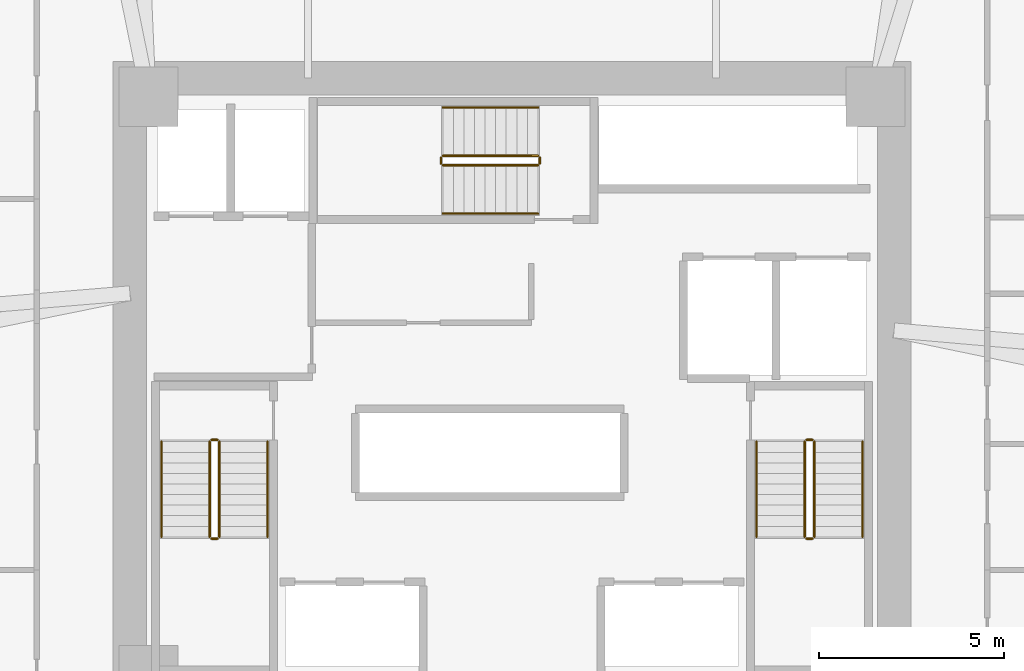
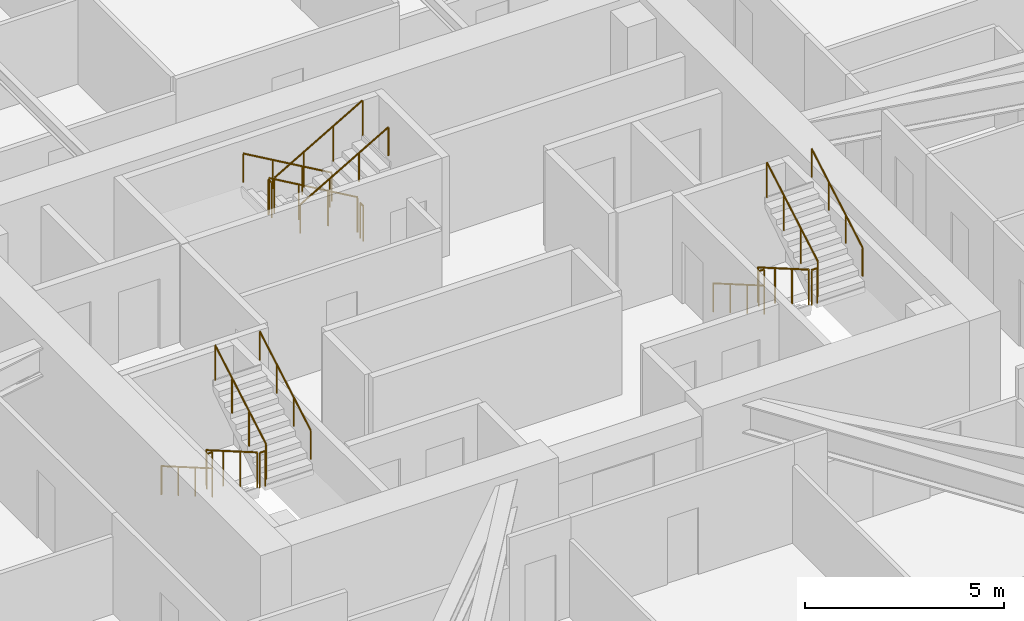
# One storey, part 17 of 17: 18 railings.
"""IFC4 building model written with IfcOpenShell, lengths in metres."""

from ifc_helpers import new_model, si_unit, direction, frame, origin, origin_2d, place, context, subcontext, project, spatial, circle, extrude, material, type_object, element, save


model = new_model("IFC4")

# Units and contexts
model_context = context("Model", 3, precision=1e-05, world=origin(), true_north=direction((0.0, 1.0)))
body_context = subcontext(model_context, "Body", "Model", "MODEL_VIEW")
ifc_project = project(units=[si_unit("LENGTHUNIT", "METRE"), si_unit("AREAUNIT", "SQUARE_METRE"), si_unit("VOLUMEUNIT", "CUBIC_METRE"), si_unit("PLANEANGLEUNIT", "RADIAN"), si_unit("MASSUNIT", "GRAM", prefix="KILO")], contexts=[model_context])

# Site, building, storey
site_placement = place(None, origin())
site = spatial("IfcSite", under=ifc_project, at=site_placement, CompositionType="ELEMENT")
building_placement = place(site_placement, origin())
building = spatial("IfcBuilding", under=site, at=building_placement, Name="Durnholm Broadcast Tower", CompositionType="ELEMENT")
storey_placement = place(building_placement, frame((0.0, 0.0, 45.60009765625)))
storey = spatial("IfcBuildingStorey", under=building, at=storey_placement, Name="L10", CompositionType="ELEMENT", Elevation=45.60009765625)

# Railings
ifc_material_1 = material(Name="Painted Tubular Steel Stair Guardrail", Category="steel")
railing_type_1 = type_object("IfcRailingType", Name="RAIL-ST-GRD", PredefinedType="GUARDRAIL", material=ifc_material_1)
railing_1_placement = place(storey_placement, frame((-8.14990234375, -1.5, 0.164794921875)))
element("IfcRailing", 1, at=railing_1_placement, inside=storey, type_object=railing_type_1, Name="L10 ST-1 stair guard 1", PredefinedType="GUARDRAIL", context=body_context, shape_type="SweptSolid", body=[
    extrude(circle(Radius=0.02392578125, at=origin_2d()), frame((0.0, 0.0, 1.076171875), z_axis=(0.0, -0.865405606168, 0.501071987656), x_axis=(1.0, 0.0, 0.0)), (0.0, 0.0, 1.0), 2.9638671875),
    extrude(circle(Radius=0.02099609375, at=origin_2d()), origin(), (0.0, 0.0, 1.0), 1.052001953125),
    extrude(circle(Radius=0.02099609375, at=origin_2d()), frame((0.0, -0.85498046875, 0.4951171875)), (0.0, 0.0, 1.0), 1.052001953125),
    extrude(circle(Radius=0.02099609375, at=origin_2d()), frame((0.0, -1.7099609375, 0.989990234375)), (0.0, 0.0, 1.0), 1.052001953125),
    extrude(circle(Radius=0.02099609375, at=origin_2d()), frame((0.0, -2.56494140625, 1.485107421875)), (0.0, 0.0, 1.0), 1.052001953125),
])
railing_2_placement = place(storey_placement, frame((-8.10009765625, -4.114990234375, 1.64990234375)))
element("IfcRailing", 2, at=railing_2_placement, inside=storey, type_object=railing_type_1, Name="L10 ST-1 stair guard 2", PredefinedType="GUARDRAIL", context=body_context, shape_type="SweptSolid", body=[
    extrude(circle(Radius=0.02392578125, at=origin_2d()), frame((0.0, 0.0, 1.076171875), z_axis=(1.0, 0.0, 0.0), x_axis=(0.0, 1.0, 0.0)), (0.0, 0.0, 1.0), 0.16015625),
    extrude(circle(Radius=0.02099609375, at=origin_2d()), origin(), (0.0, 0.0, 1.0), 1.052001953125),
    extrude(circle(Radius=0.02099609375, at=origin_2d()), frame((0.16015625, 0.0, 0.0)), (0.0, 0.0, 1.0), 1.052001953125),
])
railing_3_placement = place(storey_placement, frame((-7.889892578125, -4.06494140625, 1.81494140625)))
element("IfcRailing", 3, at=railing_3_placement, inside=storey, type_object=railing_type_1, Name="L10 ST-1 stair guard 3", PredefinedType="GUARDRAIL", context=body_context, shape_type="SweptSolid", body=[
    extrude(circle(Radius=0.02392578125, at=origin_2d()), frame((0.0, 0.0, 1.076171875), z_axis=(0.0, 0.865441324677, 0.50101029285), x_axis=(-1.0, 0.0, 0.0)), (0.0, 0.0, 1.0), 2.963623046875),
    extrude(circle(Radius=0.02099609375, at=origin_2d()), origin(), (0.0, 0.0, 1.0), 1.052001953125),
    extrude(circle(Radius=0.02099609375, at=origin_2d()), frame((0.0, 0.85498046875, 0.494873046875)), (0.0, 0.0, 1.0), 1.052001953125),
    extrude(circle(Radius=0.02099609375, at=origin_2d()), frame((0.0, 1.7099609375, 0.989990234375)), (0.0, 0.0, 1.0), 1.052001953125),
    extrude(circle(Radius=0.02099609375, at=origin_2d()), frame((0.0, 2.56494140625, 1.48486328125)), (0.0, 0.0, 1.0), 1.052001953125),
])
railing_4_placement = place(storey_placement, frame((-8.10009765625, -1.449951171875, 0.0)))
element("IfcRailing", 4, at=railing_4_placement, inside=storey, type_object=railing_type_1, Name="L10 ST-1 stair guard 4", PredefinedType="GUARDRAIL", context=body_context, shape_type="SweptSolid", body=[
    extrude(circle(Radius=0.02392578125, at=origin_2d()), frame((0.0, 0.0, 1.076171875), z_axis=(1.0, 0.0, 0.0), x_axis=(0.0, 1.0, 0.0)), (0.0, 0.0, 1.0), 0.16015625),
    extrude(circle(Radius=0.02099609375, at=origin_2d()), origin(), (0.0, 0.0, 1.0), 1.052001953125),
    extrude(circle(Radius=0.02099609375, at=origin_2d()), frame((0.16015625, 0.0, 0.0)), (0.0, 0.0, 1.0), 1.052001953125),
])
railing_5_placement = place(storey_placement, frame((7.889892578125, -1.5, 0.164794921875)))
element("IfcRailing", 5, at=railing_5_placement, inside=storey, type_object=railing_type_1, Name="L10 ST-2 stair guard 1", PredefinedType="GUARDRAIL", context=body_context, shape_type="SweptSolid", body=[
    extrude(circle(Radius=0.02392578125, at=origin_2d()), frame((0.0, 0.0, 1.076171875), z_axis=(0.0, -0.865405606168, 0.501071987656), x_axis=(1.0, 0.0, 0.0)), (0.0, 0.0, 1.0), 2.9638671875),
    extrude(circle(Radius=0.02099609375, at=origin_2d()), origin(), (0.0, 0.0, 1.0), 1.052001953125),
    extrude(circle(Radius=0.02099609375, at=origin_2d()), frame((0.0, -0.85498046875, 0.4951171875)), (0.0, 0.0, 1.0), 1.052001953125),
    extrude(circle(Radius=0.02099609375, at=origin_2d()), frame((0.0, -1.7099609375, 0.989990234375)), (0.0, 0.0, 1.0), 1.052001953125),
    extrude(circle(Radius=0.02099609375, at=origin_2d()), frame((0.0, -2.56494140625, 1.485107421875)), (0.0, 0.0, 1.0), 1.052001953125),
])
railing_6_placement = place(storey_placement, frame((7.93994140625, -4.114990234375, 1.64990234375)))
element("IfcRailing", 6, at=railing_6_placement, inside=storey, type_object=railing_type_1, Name="L10 ST-2 stair guard 2", PredefinedType="GUARDRAIL", context=body_context, shape_type="SweptSolid", body=[
    extrude(circle(Radius=0.02392578125, at=origin_2d()), frame((0.0, 0.0, 1.076171875), z_axis=(1.0, 0.0, 0.0), x_axis=(0.0, 1.0, 0.0)), (0.0, 0.0, 1.0), 0.16015625),
    extrude(circle(Radius=0.02099609375, at=origin_2d()), origin(), (0.0, 0.0, 1.0), 1.052001953125),
    extrude(circle(Radius=0.02099609375, at=origin_2d()), frame((0.16015625, 0.0, 0.0)), (0.0, 0.0, 1.0), 1.052001953125),
])
railing_7_placement = place(storey_placement, frame((8.14990234375, -4.06494140625, 1.81494140625)))
element("IfcRailing", 7, at=railing_7_placement, inside=storey, type_object=railing_type_1, Name="L10 ST-2 stair guard 3", PredefinedType="GUARDRAIL", context=body_context, shape_type="SweptSolid", body=[
    extrude(circle(Radius=0.02392578125, at=origin_2d()), frame((0.0, 0.0, 1.076171875), z_axis=(0.0, 0.865441324677, 0.50101029285), x_axis=(-1.0, 0.0, 0.0)), (0.0, 0.0, 1.0), 2.963623046875),
    extrude(circle(Radius=0.02099609375, at=origin_2d()), origin(), (0.0, 0.0, 1.0), 1.052001953125),
    extrude(circle(Radius=0.02099609375, at=origin_2d()), frame((0.0, 0.85498046875, 0.494873046875)), (0.0, 0.0, 1.0), 1.052001953125),
    extrude(circle(Radius=0.02099609375, at=origin_2d()), frame((0.0, 1.7099609375, 0.989990234375)), (0.0, 0.0, 1.0), 1.052001953125),
    extrude(circle(Radius=0.02099609375, at=origin_2d()), frame((0.0, 2.56494140625, 1.48486328125)), (0.0, 0.0, 1.0), 1.052001953125),
])
railing_8_placement = place(storey_placement, frame((7.93994140625, -1.449951171875, 0.0)))
element("IfcRailing", 8, at=railing_8_placement, inside=storey, type_object=railing_type_1, Name="L10 ST-2 stair guard 4", PredefinedType="GUARDRAIL", context=body_context, shape_type="SweptSolid", body=[
    extrude(circle(Radius=0.02392578125, at=origin_2d()), frame((0.0, 0.0, 1.076171875), z_axis=(1.0, 0.0, 0.0), x_axis=(0.0, 1.0, 0.0)), (0.0, 0.0, 1.0), 0.16015625),
    extrude(circle(Radius=0.02099609375, at=origin_2d()), origin(), (0.0, 0.0, 1.0), 1.052001953125),
    extrude(circle(Radius=0.02099609375, at=origin_2d()), frame((0.16015625, 0.0, 0.0)), (0.0, 0.0, 1.0), 1.052001953125),
])
railing_9_placement = place(storey_placement, frame((0.699951171875, 6.2099609375, 0.164794921875)))
element("IfcRailing", 9, at=railing_9_placement, inside=storey, type_object=railing_type_1, Name="L10 ST-3 stair guard 1", PredefinedType="GUARDRAIL", context=body_context, shape_type="SweptSolid", body=[
    extrude(circle(Radius=0.02392578125, at=origin_2d()), frame((0.0, 0.0, 1.076171875), z_axis=(-0.865405606168, 0.0, 0.501071987656), x_axis=(0.0, -1.0, 0.0)), (0.0, 0.0, 1.0), 2.9638671875),
    extrude(circle(Radius=0.02099609375, at=origin_2d()), origin(), (0.0, 0.0, 1.0), 1.052001953125),
    extrude(circle(Radius=0.02099609375, at=origin_2d()), frame((-0.85498046875, 0.0, 0.4951171875)), (0.0, 0.0, 1.0), 1.052001953125),
    extrude(circle(Radius=0.02099609375, at=origin_2d()), frame((-1.7099609375, 0.0, 0.989990234375)), (0.0, 0.0, 1.0), 1.052001953125),
    extrude(circle(Radius=0.02099609375, at=origin_2d()), frame((-2.56494140625, 0.0, 1.485107421875)), (0.0, 0.0, 1.0), 1.052001953125),
])
railing_10_placement = place(storey_placement, frame((-1.9150390625, 6.159912109375, 1.64990234375)))
element("IfcRailing", 10, at=railing_10_placement, inside=storey, type_object=railing_type_1, Name="L10 ST-3 stair guard 2", PredefinedType="GUARDRAIL", context=body_context, shape_type="SweptSolid", body=[
    extrude(circle(Radius=0.02392578125, at=origin_2d()), frame((0.0, 0.0, 1.076171875), z_axis=(0.0, -1.0, 0.0), x_axis=(1.0, 0.0, 0.0)), (0.0, 0.0, 1.0), 0.159912109375),
    extrude(circle(Radius=0.02099609375, at=origin_2d()), origin(), (0.0, 0.0, 1.0), 1.052001953125),
    extrude(circle(Radius=0.02099609375, at=origin_2d()), frame((0.0, -0.159912109375, 0.0)), (0.0, 0.0, 1.0), 1.052001953125),
])
railing_11_placement = place(storey_placement, frame((-1.864990234375, 5.949951171875, 1.81494140625)))
element("IfcRailing", 11, at=railing_11_placement, inside=storey, type_object=railing_type_1, Name="L10 ST-3 stair guard 3", PredefinedType="GUARDRAIL", context=body_context, shape_type="SweptSolid", body=[
    extrude(circle(Radius=0.02392578125, at=origin_2d()), frame((0.0, 0.0, 1.076171875), z_axis=(0.865441324677, 0.0, 0.50101029285), x_axis=(0.0, 1.0, 0.0)), (0.0, 0.0, 1.0), 2.963623046875),
    extrude(circle(Radius=0.02099609375, at=origin_2d()), origin(), (0.0, 0.0, 1.0), 1.052001953125),
    extrude(circle(Radius=0.02099609375, at=origin_2d()), frame((0.85498046875, 0.0, 0.494873046875)), (0.0, 0.0, 1.0), 1.052001953125),
    extrude(circle(Radius=0.02099609375, at=origin_2d()), frame((1.7099609375, 0.0, 0.989990234375)), (0.0, 0.0, 1.0), 1.052001953125),
    extrude(circle(Radius=0.02099609375, at=origin_2d()), frame((2.56494140625, 0.0, 1.48486328125)), (0.0, 0.0, 1.0), 1.052001953125),
])
railing_12_placement = place(storey_placement, frame((0.75, 6.159912109375, 0.0)))
element("IfcRailing", 12, at=railing_12_placement, inside=storey, type_object=railing_type_1, Name="L10 ST-3 stair guard 4", PredefinedType="GUARDRAIL", context=body_context, shape_type="SweptSolid", body=[
    extrude(circle(Radius=0.02392578125, at=origin_2d()), frame((0.0, 0.0, 1.076171875), z_axis=(0.0, -1.0, 0.0), x_axis=(1.0, 0.0, 0.0)), (0.0, 0.0, 1.0), 0.159912109375),
    extrude(circle(Radius=0.02099609375, at=origin_2d()), origin(), (0.0, 0.0, 1.0), 1.052001953125),
    extrude(circle(Radius=0.02099609375, at=origin_2d()), frame((0.0, -0.159912109375, 0.0)), (0.0, 0.0, 1.0), 1.052001953125),
])
ifc_material_2 = material(Name="Brushed Stainless Steel Handrail", Category="steel")
railing_type_2 = type_object("IfcRailingType", Name="RAIL-ST-HND", PredefinedType="HANDRAIL", material=ifc_material_2)
railing_13_placement = place(storey_placement, frame((-9.449951171875, -1.5, 0.329833984375)))
element("IfcRailing", 13, at=railing_13_placement, inside=storey, type_object=railing_type_2, Name="L10 ST-1 stair handrail 1", PredefinedType="HANDRAIL", context=body_context, shape_type="SweptSolid", body=[
    extrude(circle(Radius=0.02392578125, at=origin_2d()), frame((0.0, 0.0, 0.8759765625), z_axis=(0.0, -0.865405606168, 0.501071987656), x_axis=(1.0, 0.0, 0.0)), (0.0, 0.0, 1.0), 2.9638671875),
    extrude(circle(Radius=0.02099609375, at=origin_2d()), origin(), (0.0, 0.0, 1.0), 0.851806640625),
    extrude(circle(Radius=0.02099609375, at=origin_2d()), frame((0.0, -0.85498046875, 0.4951171875)), (0.0, 0.0, 1.0), 0.851806640625),
    extrude(circle(Radius=0.02099609375, at=origin_2d()), frame((0.0, -1.7099609375, 0.989990234375)), (0.0, 0.0, 1.0), 0.851806640625),
    extrude(circle(Radius=0.02099609375, at=origin_2d()), frame((0.0, -2.56494140625, 1.485107421875)), (0.0, 0.0, 1.0), 0.851806640625),
])
railing_14_placement = place(storey_placement, frame((-6.590087890625, -4.06494140625, 1.97998046875)))
element("IfcRailing", 14, at=railing_14_placement, inside=storey, type_object=railing_type_2, Name="L10 ST-1 stair handrail 2", PredefinedType="HANDRAIL", context=body_context, shape_type="SweptSolid", body=[
    extrude(circle(Radius=0.02392578125, at=origin_2d()), frame((0.0, 0.0, 0.8759765625), z_axis=(0.0, 0.865441324677, 0.50101029285), x_axis=(-1.0, 0.0, 0.0)), (0.0, 0.0, 1.0), 2.963623046875),
    extrude(circle(Radius=0.02099609375, at=origin_2d()), origin(), (0.0, 0.0, 1.0), 0.851806640625),
    extrude(circle(Radius=0.02099609375, at=origin_2d()), frame((0.0, 0.85498046875, 0.494873046875)), (0.0, 0.0, 1.0), 0.851806640625),
    extrude(circle(Radius=0.02099609375, at=origin_2d()), frame((0.0, 1.7099609375, 0.989990234375)), (0.0, 0.0, 1.0), 0.851806640625),
    extrude(circle(Radius=0.02099609375, at=origin_2d()), frame((0.0, 2.56494140625, 1.48486328125)), (0.0, 0.0, 1.0), 0.851806640625),
])
railing_15_placement = place(storey_placement, frame((6.590087890625, -1.5, 0.329833984375)))
element("IfcRailing", 15, at=railing_15_placement, inside=storey, type_object=railing_type_2, Name="L10 ST-2 stair handrail 1", PredefinedType="HANDRAIL", context=body_context, shape_type="SweptSolid", body=[
    extrude(circle(Radius=0.02392578125, at=origin_2d()), frame((0.0, 0.0, 0.8759765625), z_axis=(0.0, -0.865405606168, 0.501071987656), x_axis=(1.0, 0.0, 0.0)), (0.0, 0.0, 1.0), 2.9638671875),
    extrude(circle(Radius=0.02099609375, at=origin_2d()), origin(), (0.0, 0.0, 1.0), 0.851806640625),
    extrude(circle(Radius=0.02099609375, at=origin_2d()), frame((0.0, -0.85498046875, 0.4951171875)), (0.0, 0.0, 1.0), 0.851806640625),
    extrude(circle(Radius=0.02099609375, at=origin_2d()), frame((0.0, -1.7099609375, 0.989990234375)), (0.0, 0.0, 1.0), 0.851806640625),
    extrude(circle(Radius=0.02099609375, at=origin_2d()), frame((0.0, -2.56494140625, 1.485107421875)), (0.0, 0.0, 1.0), 0.851806640625),
])
railing_16_placement = place(storey_placement, frame((9.449951171875, -4.06494140625, 1.97998046875)))
element("IfcRailing", 16, at=railing_16_placement, inside=storey, type_object=railing_type_2, Name="L10 ST-2 stair handrail 2", PredefinedType="HANDRAIL", context=body_context, shape_type="SweptSolid", body=[
    extrude(circle(Radius=0.02392578125, at=origin_2d()), frame((0.0, 0.0, 0.8759765625), z_axis=(0.0, 0.865441324677, 0.50101029285), x_axis=(-1.0, 0.0, 0.0)), (0.0, 0.0, 1.0), 2.963623046875),
    extrude(circle(Radius=0.02099609375, at=origin_2d()), origin(), (0.0, 0.0, 1.0), 0.851806640625),
    extrude(circle(Radius=0.02099609375, at=origin_2d()), frame((0.0, 0.85498046875, 0.494873046875)), (0.0, 0.0, 1.0), 0.851806640625),
    extrude(circle(Radius=0.02099609375, at=origin_2d()), frame((0.0, 1.7099609375, 0.989990234375)), (0.0, 0.0, 1.0), 0.851806640625),
    extrude(circle(Radius=0.02099609375, at=origin_2d()), frame((0.0, 2.56494140625, 1.48486328125)), (0.0, 0.0, 1.0), 0.851806640625),
])
railing_17_placement = place(storey_placement, frame((0.699951171875, 7.510009765625, 0.329833984375)))
element("IfcRailing", 17, at=railing_17_placement, inside=storey, type_object=railing_type_2, Name="L10 ST-3 stair handrail 1", PredefinedType="HANDRAIL", context=body_context, shape_type="SweptSolid", body=[
    extrude(circle(Radius=0.02392578125, at=origin_2d()), frame((0.0, 0.0, 0.8759765625), z_axis=(-0.865405606168, 0.0, 0.501071987656), x_axis=(0.0, -1.0, 0.0)), (0.0, 0.0, 1.0), 2.9638671875),
    extrude(circle(Radius=0.02099609375, at=origin_2d()), origin(), (0.0, 0.0, 1.0), 0.851806640625),
    extrude(circle(Radius=0.02099609375, at=origin_2d()), frame((-0.85498046875, 0.0, 0.4951171875)), (0.0, 0.0, 1.0), 0.851806640625),
    extrude(circle(Radius=0.02099609375, at=origin_2d()), frame((-1.7099609375, 0.0, 0.989990234375)), (0.0, 0.0, 1.0), 0.851806640625),
    extrude(circle(Radius=0.02099609375, at=origin_2d()), frame((-2.56494140625, 0.0, 1.485107421875)), (0.0, 0.0, 1.0), 0.851806640625),
])
railing_18_placement = place(storey_placement, frame((-1.864990234375, 4.64990234375, 1.97998046875)))
element("IfcRailing", 18, at=railing_18_placement, inside=storey, type_object=railing_type_2, Name="L10 ST-3 stair handrail 2", PredefinedType="HANDRAIL", context=body_context, shape_type="SweptSolid", body=[
    extrude(circle(Radius=0.02392578125, at=origin_2d()), frame((0.0, 0.0, 0.8759765625), z_axis=(0.865441324677, 0.0, 0.50101029285), x_axis=(0.0, 1.0, 0.0)), (0.0, 0.0, 1.0), 2.963623046875),
    extrude(circle(Radius=0.02099609375, at=origin_2d()), origin(), (0.0, 0.0, 1.0), 0.851806640625),
    extrude(circle(Radius=0.02099609375, at=origin_2d()), frame((0.85498046875, 0.0, 0.494873046875)), (0.0, 0.0, 1.0), 0.851806640625),
    extrude(circle(Radius=0.02099609375, at=origin_2d()), frame((1.7099609375, 0.0, 0.989990234375)), (0.0, 0.0, 1.0), 0.851806640625),
    extrude(circle(Radius=0.02099609375, at=origin_2d()), frame((2.56494140625, 0.0, 1.48486328125)), (0.0, 0.0, 1.0), 0.851806640625),
])

save(model, "model.ifc")
